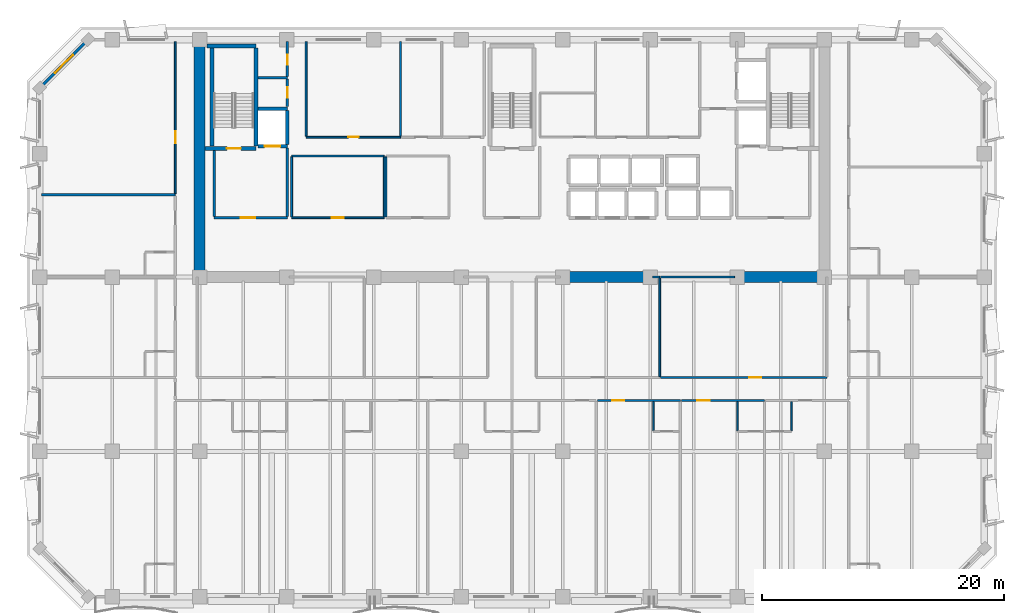
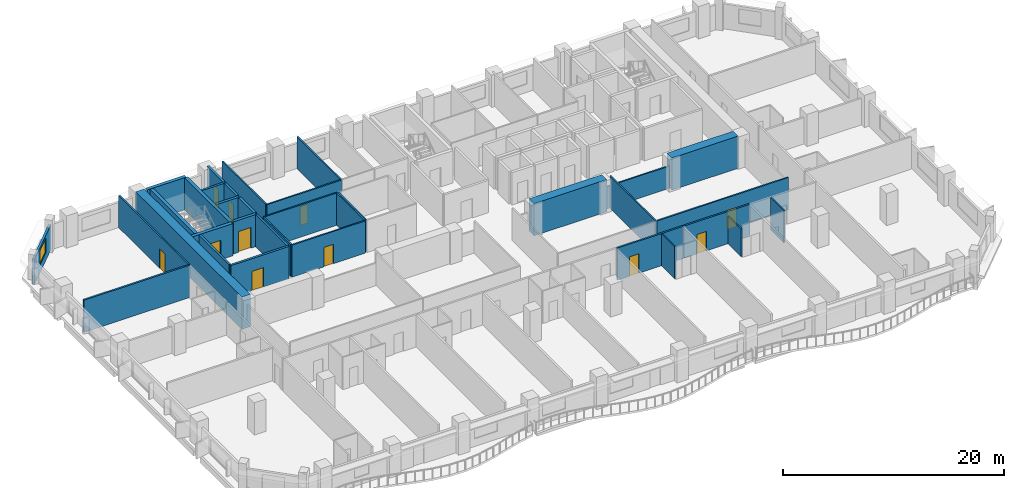
# One storey, part 6 of 14: 36 walls, 11 doors, 1 window, 12 openings.
"""IFC4 building model written with IfcOpenShell, lengths in metres."""

from ifc_helpers import new_model, si_unit, direction, frame, frame_2d, origin, place, context, subcontext, project, spatial, rectangle, extrude, material, layer, layer_set, type_object, element, fill, save


model = new_model("IFC4")

# Units and contexts
model_context = context("Model", 3, precision=1e-05, world=origin(), true_north=direction((0.0, 1.0)))
body_context = subcontext(model_context, "Body", "Model", "MODEL_VIEW")
ifc_project = project(units=[si_unit("LENGTHUNIT", "METRE"), si_unit("AREAUNIT", "SQUARE_METRE"), si_unit("VOLUMEUNIT", "CUBIC_METRE"), si_unit("PLANEANGLEUNIT", "RADIAN"), si_unit("MASSUNIT", "GRAM", prefix="KILO")], contexts=[model_context])

# Site, building, storey
site_placement = place(None, origin())
site = spatial("IfcSite", under=ifc_project, at=site_placement, CompositionType="ELEMENT")
building_placement = place(site_placement, origin())
building = spatial("IfcBuilding", under=site, at=building_placement, Name="Kaelvorn Grand Hotel", CompositionType="ELEMENT")
storey_placement = place(building_placement, frame((0.0, 0.0, 169.550048828125)))
storey = spatial("IfcBuildingStorey", under=building, at=storey_placement, Name="L41", CompositionType="ELEMENT", Elevation=169.550048828125)

# Walls
ifc_material_1 = material(Name="Concrete C60/75", Category="concrete")
ifc_layer_1 = layer(ifc_material_1, 0.89990234375)
ifc_layer_set_1 = layer_set([ifc_layer_1], Name="Concrete C60/75")
wall_type_1 = type_object("IfcWallType", Name="WL-CORE-900-C60", PredefinedType="SHEAR", material=ifc_layer_set_1)
wall_1_placement = place(storey_placement, frame((16.199951171875, 29.39990234375, 0.0), z_axis=(0.0, 0.0, 1.0), x_axis=(0.0, 1.0, 0.0)))
element("IfcWall", 1, at=wall_1_placement, inside=storey, type_object=wall_type_1, Name="L41 Rear-Core West Shear Wall", PredefinedType="SHEAR", context=body_context, shape_type="SweptSolid", body=[
    extrude(rectangle(XDim=19.2001953125, YDim=0.89990234375, at=frame_2d((9.60009765625, 0.0))), origin(), (0.0, 0.0, 1.0), 3.56005859375),
])
wall_2_placement = place(storey_placement, frame((46.0, 29.39990234375, 0.0), z_axis=(0.0, 0.0, 1.0), x_axis=(1.0, 0.0, 0.0)))
element("IfcWall", 2, at=wall_2_placement, inside=storey, type_object=wall_type_1, Name="L41 Rear-Core Coupled Shear Pier S3", PredefinedType="SHEAR", context=body_context, shape_type="SweptSolid", body=[
    extrude(rectangle(XDim=7.60009765625, YDim=0.89990234375, at=frame_2d((3.800048828125, 0.0))), origin(), (0.0, 0.0, 1.0), 3.56005859375),
])
wall_3_placement = place(storey_placement, frame((60.39990234375, 29.39990234375, 0.0), z_axis=(0.0, 0.0, 1.0), x_axis=(1.0, 0.0, 0.0)))
element("IfcWall", 3, at=wall_3_placement, inside=storey, type_object=wall_type_1, Name="L41 Rear-Core Coupled Shear Pier S4", PredefinedType="SHEAR", context=body_context, shape_type="SweptSolid", body=[
    extrude(rectangle(XDim=6.945068359375, YDim=0.89990234375, at=frame_2d((3.47265625, 0.0))), origin(), (0.0, 0.0, 1.0), 3.56005859375),
])

# Wall, opening, window
ifc_material_2 = material(Name="Concrete C40/50", Category="concrete")
ifc_layer_2 = layer(ifc_material_2, 0.239990234375)
ifc_layer_set_2 = layer_set([ifc_layer_2], Name="Concrete C40/50")
wall_type_2 = type_object("IfcWallType", Name="WL-EXT-240-C40", PredefinedType="SOLIDWALL", material=ifc_layer_set_2)
wall_4_placement = place(storey_placement, frame((7.0, 49.0, 0.0), z_axis=(0.0, 0.0, 1.0), x_axis=(-0.707106781187, -0.707106781187, 0.0)))
wall_4 = element("IfcWall", 4, at=wall_4_placement, inside=storey, type_object=wall_type_2, Name="L41 Exterior Architectural Concrete Wall 06", PredefinedType="SOLIDWALL", context=body_context, shape_type="SweptSolid", body=[
    extrude(rectangle(XDim=5.65673828125, YDim=0.239990234375, at=frame_2d((2.828369140625, 0.0))), origin(), (0.0, 0.0, 1.0), 2.760009765625),
])
opening_1_placement = place(wall_4_placement, frame((1.7783203125, 0.0, 0.85009765625)))
opening_1 = element("IfcOpeningElement", 5, at=opening_1_placement, cuts=wall_4, Name="Opening W7", PredefinedType="OPENING", context=body_context, shape_type="SweptSolid", body=[
    extrude(rectangle(XDim=2.10009765625, YDim=1.60009765625, at=frame_2d((1.050048828125, 0.800048828125))), frame((0.0, 0.1298828125, 0.0), z_axis=(0.0, -1.0, 0.0), x_axis=(1.0, 0.0, 0.0)), (0.0, 0.0, 1.0), 0.260009765625),
])
ifc_material_3 = material(Name="Laminated Low-E Glass", Category="glass")
window_type = type_object("IfcWindowType", Name="WIN-CHM-2100x1600", PartitioningType="SINGLE_PANEL", PredefinedType="WINDOW", material=ifc_material_3)
window_placement = place(opening_1_placement, origin())
window = element("IfcWindow", 6, at=window_placement, inside=storey, type_object=window_type, Name="L41 Chamfered 45-Degree Corner Window NW", OverallHeight=1.60009765625, OverallWidth=2.10009765625, PartitioningType="SINGLE_PANEL", PredefinedType="WINDOW", context=body_context, shape_type="SweptSolid", body=[
    extrude(rectangle(XDim=2.10009765625, YDim=1.60009765625, at=frame_2d((1.050048828125, 0.800048828125))), frame((0.0, 0.030029296875, 0.0), z_axis=(0.0, -1.0, 0.0), x_axis=(1.0, 0.0, 0.0)), (0.0, 0.0, 1.0), 0.06005859375),
])
fill(opening_1, window)

# Walls
ifc_material_4 = material(Name="Moisture-Resistant Tile & Stud Board")
ifc_layer_3 = layer(ifc_material_4, 0.125)
ifc_layer_set_3 = layer_set([ifc_layer_3], Name="Moisture-Resistant Tile & Stud Board")
wall_type_3 = type_object("IfcWallType", Name="WL-PART-125-WET", PredefinedType="PARTITIONING", material=ifc_layer_set_3)
wall_5_placement = place(storey_placement, frame((53.679931640625, 16.717529296875, 0.0), z_axis=(0.0, 0.0, 1.0), x_axis=(0.0, 1.0, 0.0)))
element("IfcWall", 7, at=wall_5_placement, inside=storey, type_object=wall_type_3, Name="L41 En-suite Bathroom L41-06 W Partition", PredefinedType="PARTITIONING", context=body_context, shape_type="SweptSolid", body=[
    extrude(rectangle(XDim=2.387451171875, YDim=0.125, at=frame_2d((1.19384765625, 0.0))), origin(), (0.0, 0.0, 1.0), 3.56005859375),
])
wall_6_placement = place(storey_placement, frame((60.6298828125, 16.717529296875, 0.0), z_axis=(0.0, 0.0, 1.0), x_axis=(0.0, 1.0, 0.0)))
element("IfcWall", 8, at=wall_6_placement, inside=storey, type_object=wall_type_3, Name="L41 En-suite Bathroom L41-07 W Partition", PredefinedType="PARTITIONING", context=body_context, shape_type="SweptSolid", body=[
    extrude(rectangle(XDim=2.387451171875, YDim=0.125, at=frame_2d((1.19384765625, 0.0))), origin(), (0.0, 0.0, 1.0), 3.06005859375),
])
wall_7_placement = place(storey_placement, frame((65.070068359375, 16.717529296875, 0.0), z_axis=(0.0, 0.0, 1.0), x_axis=(0.0, 1.0, 0.0)))
element("IfcWall", 9, at=wall_7_placement, inside=storey, type_object=wall_type_3, Name="L41 En-suite Bathroom L41-08 E Partition", PredefinedType="PARTITIONING", context=body_context, shape_type="SweptSolid", body=[
    extrude(rectangle(XDim=2.387451171875, YDim=0.125, at=frame_2d((1.19384765625, 0.0))), origin(), (0.0, 0.0, 1.0), 3.56005859375),
])
ifc_material_5 = material(Name="Acoustic Gypsum & Stud Partition")
ifc_layer_4 = layer(ifc_material_5, 0.14990234375)
ifc_layer_set_4 = layer_set([ifc_layer_4], Name="Acoustic Gypsum & Stud Partition")
wall_type_4 = type_object("IfcWallType", Name="WL-PART-150-EI60", PredefinedType="PARTITIONING", material=ifc_layer_set_4)
wall_8_placement = place(storey_placement, frame((31.60009765625, 34.3798828125, 0.0), z_axis=(0.0, 0.0, 1.0), x_axis=(0.0, 1.0, 0.0)))
element("IfcWall", 10, at=wall_8_placement, inside=storey, type_object=wall_type_4, Name="L41 Core Telecoms & BMS Server Room W Partition", PredefinedType="PARTITIONING", context=body_context, shape_type="SweptSolid", body=[
    extrude(rectangle(XDim=4.940185546875, YDim=0.14990234375, at=frame_2d((2.47021484375, 0.0))), origin(), (0.0, 0.0, 1.0), 3.56005859375),
])

# Wall, opening, door
wall_9_placement = place(storey_placement, frame((23.800048828125, 34.300048828125, 0.0), z_axis=(0.0, 0.0, 1.0), x_axis=(1.0, 0.0, 0.0)))
wall_9 = element("IfcWall", 11, at=wall_9_placement, inside=storey, type_object=wall_type_4, Name="L41 Executive Club Sitting Lounge S Partition", PredefinedType="PARTITIONING", context=body_context, shape_type="SweptSolid", body=[
    extrude(rectangle(XDim=7.64990234375, YDim=0.14990234375, at=frame_2d((3.824951171875, 0.0))), origin(), (0.0, 0.0, 1.0), 3.56005859375),
])
opening_2_placement = place(wall_9_placement, frame((3.300048828125, 0.0, 0.0)))
opening_2 = element("IfcOpeningElement", 12, at=opening_2_placement, cuts=wall_9, Name="Opening DI3", PredefinedType="OPENING", context=body_context, shape_type="SweptSolid", body=[
    extrude(rectangle(XDim=1.0, YDim=2.14990234375, at=frame_2d((0.5, 1.074951171875))), frame((0.0, 0.0849609375, 0.0), z_axis=(0.0, -1.0, 0.0), x_axis=(1.0, 0.0, 0.0)), (0.0, 0.0, 1.0), 0.169921875),
])
ifc_material_6 = material(Name="Timber Veneer Fire Leaf", Category="wood")
door_type_1 = type_object("IfcDoorType", Name="DR-INT-GUEST-1000x2150", OperationType="NOTDEFINED", PredefinedType="DOOR", material=ifc_material_6)
door_1_placement = place(opening_2_placement, origin())
door_1 = element("IfcDoor", 13, at=door_1_placement, inside=storey, type_object=door_type_1, Name="L41 Executive Club Sitting Lounge Door", OperationType="SINGLE_SWING_RIGHT", OverallHeight=2.14990234375, OverallWidth=1.0, PredefinedType="DOOR", context=body_context, shape_type="SweptSolid", body=[
    extrude(rectangle(XDim=1.0, YDim=2.14990234375, at=frame_2d((0.5, 1.074951171875))), frame((0.0, 0.02490234375, 0.0), z_axis=(0.0, -1.0, 0.0), x_axis=(1.0, 0.0, 0.0)), (0.0, 0.0, 1.0), 0.050048828125),
])
fill(opening_2, door_1)

# Walls
wall_10_placement = place(storey_placement, frame((23.800048828125, 39.39990234375, 0.0), z_axis=(0.0, 0.0, 1.0), x_axis=(1.0, 0.0, 0.0)))
element("IfcWall", 14, at=wall_10_placement, inside=storey, type_object=wall_type_4, Name="L41 Executive Club Sitting Lounge N Partition", PredefinedType="PARTITIONING", context=body_context, shape_type="SweptSolid", body=[
    extrude(rectangle(XDim=7.64990234375, YDim=0.14990234375, at=frame_2d((3.824951171875, 0.0))), origin(), (0.0, 0.0, 1.0), 3.56005859375),
])
for number, where, z_axis, x_axis, name in (
    (15, (23.800048828125, 34.3798828125, 0.0), (0.0, 0.0, 1.0), (0.0, 1.0, 0.0), "L41 Executive Club Sitting Lounge W Partition"),
    (16, (31.449951171875, 34.3798828125, 0.0), (0.0, 0.0, 1.0), (0.0, 1.0, 0.0), "L41 Executive Club Sitting Lounge E Partition"),
):
    element("IfcWall", number, at=place(storey_placement, frame(where, z_axis=z_axis, x_axis=x_axis)), inside=storey, type_object=wall_type_4, Name=name, PredefinedType="PARTITIONING", context=body_context, shape_type="SweptSolid", body=[
        extrude(rectangle(XDim=4.940185546875, YDim=0.14990234375, at=frame_2d((2.47021484375, 0.0))), origin(), (0.0, 0.0, 1.0), 3.56005859375),
    ])

# Wall, opening, door
wall_11_placement = place(storey_placement, frame((25.0, 40.949951171875, 0.0), z_axis=(0.0, 0.0, 1.0), x_axis=(1.0, 0.0, 0.0)))
wall_11 = element("IfcWall", 17, at=wall_11_placement, inside=storey, type_object=wall_type_4, Name="L41 Housekeeping & Linen Room S Partition", PredefinedType="PARTITIONING", context=body_context, shape_type="SweptSolid", body=[
    extrude(rectangle(XDim=7.800048828125, YDim=0.14990234375, at=frame_2d((3.89990234375, 0.0))), origin(), (0.0, 0.0, 1.0), 3.56005859375),
])
opening_3_placement = place(wall_11_placement, frame((3.47509765625, 0.0, 0.0)))
opening_3 = element("IfcOpeningElement", 18, at=opening_3_placement, cuts=wall_11, Name="Opening DI7", PredefinedType="OPENING", context=body_context, shape_type="SweptSolid", body=[
    extrude(rectangle(XDim=0.85009765625, YDim=2.10009765625, at=frame_2d((0.425048828125, 1.050048828125))), frame((0.0, 0.0849609375, 0.0), z_axis=(0.0, -1.0, 0.0), x_axis=(1.0, 0.0, 0.0)), (0.0, 0.0, 1.0), 0.169921875),
])
ifc_material_7 = material(Name="Powder-Coated Steel Leaf", Category="steel")
door_type_2 = type_object("IfcDoorType", Name="DR-INT-RISER-850x2100", OperationType="NOTDEFINED", PredefinedType="DOOR", material=ifc_material_7)
door_2_placement = place(opening_3_placement, origin())
door_2 = element("IfcDoor", 19, at=door_2_placement, inside=storey, type_object=door_type_2, Name="L41 Housekeeping & Linen Room Door", OperationType="SINGLE_SWING_LEFT", OverallHeight=2.10009765625, OverallWidth=0.85009765625, PredefinedType="DOOR", context=body_context, shape_type="SweptSolid", body=[
    extrude(rectangle(XDim=0.85009765625, YDim=2.10009765625, at=frame_2d((0.425048828125, 1.050048828125))), frame((0.0, 0.02490234375, 0.0), z_axis=(0.0, -1.0, 0.0), x_axis=(1.0, 0.0, 0.0)), (0.0, 0.0, 1.0), 0.050048828125),
])
fill(opening_3, door_2)

# Walls
for number, where, z_axis, x_axis, name in (
    (20, (25.0, 41.030029296875, 0.0), (0.0, 0.0, 1.0), (0.0, 1.0, 0.0), "L41 Housekeeping & Linen Room W Partition"),
    (21, (32.800048828125, 41.030029296875, 0.0), (0.0, 0.0, 1.0), (0.0, 1.0, 0.0), "L41 Housekeeping & Linen Room E Partition"),
):
    element("IfcWall", number, at=place(storey_placement, frame(where, z_axis=z_axis, x_axis=x_axis)), inside=storey, type_object=wall_type_4, Name=name, PredefinedType="PARTITIONING", context=body_context, shape_type="SweptSolid", body=[
        extrude(rectangle(XDim=7.820068359375, YDim=0.14990234375, at=frame_2d((3.91015625, 0.0))), origin(), (0.0, 0.0, 1.0), 3.56005859375),
    ])
wall_12_placement = place(storey_placement, frame((53.610107421875, 29.39990234375, 0.0), z_axis=(0.0, 0.0, 1.0), x_axis=(1.0, 0.0, 0.0)))
element("IfcWall", 22, at=wall_12_placement, inside=storey, type_object=wall_type_4, Name="L41 Diplomatic Living Room N Partition (2)", PredefinedType="PARTITIONING", context=body_context, shape_type="SweptSolid", body=[
    extrude(rectangle(XDim=0.58984375, YDim=0.14990234375, at=frame_2d((0.294921875, 0.0))), origin(), (0.0, 0.0, 1.0), 2.4599609375),
])
wall_13_placement = place(storey_placement, frame((54.199951171875, 21.179931640625, 0.0), z_axis=(0.0, 0.0, 1.0), x_axis=(0.0, 1.0, 0.0)))
element("IfcWall", 23, at=wall_13_placement, inside=storey, type_object=wall_type_4, Name="L41 Diplomatic Living Room E Partition", PredefinedType="PARTITIONING", context=body_context, shape_type="SweptSolid", body=[
    extrude(rectangle(XDim=8.14013671875, YDim=0.14990234375, at=frame_2d((4.070068359375, 0.0))), origin(), (0.0, 0.0, 1.0), 3.56005859375),
])

# Wall, opening, door
wall_14_placement = place(storey_placement, frame((54.280029296875, 21.10009765625, 0.0), z_axis=(0.0, 0.0, 1.0), x_axis=(1.0, 0.0, 0.0)))
wall_14 = element("IfcWall", 24, at=wall_14_placement, inside=storey, type_object=wall_type_4, Name="L41 Executive Meeting Room S Partition", PredefinedType="PARTITIONING", context=body_context, shape_type="SweptSolid", body=[
    extrude(rectangle(XDim=13.719970703125, YDim=0.14990234375, at=frame_2d((6.85986328125, 0.0))), origin(), (0.0, 0.0, 1.0), 3.56005859375),
])
opening_4_placement = place(wall_14_placement, frame((7.320068359375, 0.0, 0.0)))
opening_4 = element("IfcOpeningElement", 25, at=opening_4_placement, cuts=wall_14, Name="Opening DI3", PredefinedType="OPENING", context=body_context, shape_type="SweptSolid", body=[
    extrude(rectangle(XDim=1.0, YDim=2.14990234375, at=frame_2d((0.5, 1.074951171875))), frame((0.0, 0.0849609375, 0.0), z_axis=(0.0, -1.0, 0.0), x_axis=(1.0, 0.0, 0.0)), (0.0, 0.0, 1.0), 0.169921875),
])
door_3_placement = place(opening_4_placement, origin())
door_3 = element("IfcDoor", 26, at=door_3_placement, inside=storey, type_object=door_type_1, Name="L41 Executive Meeting Room Door", OperationType="SINGLE_SWING_RIGHT", OverallHeight=2.14990234375, OverallWidth=1.0, PredefinedType="DOOR", context=body_context, shape_type="SweptSolid", body=[
    extrude(rectangle(XDim=1.0, YDim=2.14990234375, at=frame_2d((0.5, 1.074951171875))), frame((0.0, 0.02490234375, 0.0), z_axis=(0.0, -1.0, 0.0), x_axis=(1.0, 0.0, 0.0)), (0.0, 0.0, 1.0), 0.050048828125),
])
fill(opening_4, door_3)

# Wall
wall_15_placement = place(storey_placement, frame((54.280029296875, 29.39990234375, 0.0), z_axis=(0.0, 0.0, 1.0), x_axis=(1.0, 0.0, 0.0)))
element("IfcWall", 27, at=wall_15_placement, inside=storey, type_object=wall_type_4, Name="L41 Executive Meeting Room N Partition", PredefinedType="PARTITIONING", context=body_context, shape_type="SweptSolid", body=[
    extrude(rectangle(XDim=6.10986328125, YDim=0.14990234375, at=frame_2d((3.054931640625, 0.0))), origin(), (0.0, 0.0, 1.0), 2.4599609375),
])

# Wall, opening, door
wall_16_placement = place(storey_placement, frame((14.199951171875, 36.294921875, 0.0), z_axis=(0.0, 0.0, 1.0), x_axis=(0.0, 1.0, 0.0)))
wall_16 = element("IfcWall", 28, at=wall_16_placement, inside=storey, type_object=wall_type_4, Name="L41 North-West Executive Meeting Room E Partition", PredefinedType="PARTITIONING", context=body_context, shape_type="SweptSolid", body=[
    extrude(rectangle(XDim=12.55517578125, YDim=0.14990234375, at=frame_2d((6.277587890625, 0.0))), origin(), (0.0, 0.0, 1.0), 3.56005859375),
])
opening_5_placement = place(wall_16_placement, frame((4.155029296875, 0.0, 0.0)))
opening_5 = element("IfcOpeningElement", 29, at=opening_5_placement, cuts=wall_16, Name="Opening DI3", PredefinedType="OPENING", context=body_context, shape_type="SweptSolid", body=[
    extrude(rectangle(XDim=1.0, YDim=2.14990234375, at=frame_2d((0.5, 1.074951171875))), frame((0.0, 0.0849609375, 0.0), z_axis=(0.0, -1.0, 0.0), x_axis=(1.0, 0.0, 0.0)), (0.0, 0.0, 1.0), 0.169921875),
])
door_4_placement = place(opening_5_placement, origin())
door_4 = element("IfcDoor", 30, at=door_4_placement, inside=storey, type_object=door_type_1, Name="L41 North-West Executive Meeting Room Door", OperationType="SINGLE_SWING_LEFT", OverallHeight=2.14990234375, OverallWidth=1.0, PredefinedType="DOOR", context=body_context, shape_type="SweptSolid", body=[
    extrude(rectangle(XDim=1.0, YDim=2.14990234375, at=frame_2d((0.5, 1.074951171875))), frame((0.0, 0.02490234375, 0.0), z_axis=(0.0, -1.0, 0.0), x_axis=(1.0, 0.0, 0.0)), (0.0, 0.0, 1.0), 0.050048828125),
])
fill(opening_5, door_4)

ifc_layer_5 = layer(ifc_material_5, 0.179931640625)
ifc_layer_set_5 = layer_set([ifc_layer_5], Name="Acoustic Gypsum & Stud Partition")
wall_type_5 = type_object("IfcWallType", Name="WL-PART-180-EI60", PredefinedType="PARTITIONING", material=ifc_layer_set_5)
wall_17_placement = place(storey_placement, frame((49.044921875, 19.199951171875, 0.0), z_axis=(0.0, 0.0, 1.0), x_axis=(1.0, 0.0, 0.0)))
wall_17 = element("IfcWall", 31, at=wall_17_placement, inside=storey, type_object=wall_type_5, Name="L41 Mid-Rise Signature Suite L41-06 N Partition", PredefinedType="PARTITIONING", context=body_context, shape_type="SweptSolid", body=[
    extrude(rectangle(XDim=6.85498046875, YDim=0.179931640625, at=frame_2d((3.427490234375, 0.0))), origin(), (0.0, 0.0, 1.0), 3.56005859375),
])
opening_6_placement = place(wall_17_placement, frame((1.239990234375, 0.0, 0.0)))
opening_6 = element("IfcOpeningElement", 32, at=opening_6_placement, cuts=wall_17, Name="Opening DI3", PredefinedType="OPENING", context=body_context, shape_type="SweptSolid", body=[
    extrude(rectangle(XDim=1.0, YDim=2.14990234375, at=frame_2d((0.5, 1.074951171875))), frame((0.0, 0.10009765625, 0.0), z_axis=(0.0, -1.0, 0.0), x_axis=(1.0, 0.0, 0.0)), (0.0, 0.0, 1.0), 0.199951171875),
])
door_5_placement = place(opening_6_placement, origin())
door_5 = element("IfcDoor", 33, at=door_5_placement, inside=storey, type_object=door_type_1, Name="L41 Mid-Rise Signature Suite L41-06 Door", OperationType="SINGLE_SWING_LEFT", OverallHeight=2.14990234375, OverallWidth=1.0, PredefinedType="DOOR", context=body_context, shape_type="SweptSolid", body=[
    extrude(rectangle(XDim=1.0, YDim=2.14990234375, at=frame_2d((0.5, 1.074951171875))), frame((0.0, 0.02490234375, 0.0), z_axis=(0.0, -1.0, 0.0), x_axis=(1.0, 0.0, 0.0)), (0.0, 0.0, 1.0), 0.050048828125),
])
fill(opening_6, door_5)

wall_18_placement = place(storey_placement, frame((55.9951171875, 19.199951171875, 0.0), z_axis=(0.0, 0.0, 1.0), x_axis=(1.0, 0.0, 0.0)))
wall_18 = element("IfcWall", 34, at=wall_18_placement, inside=storey, type_object=wall_type_5, Name="L41 Mid-Rise Signature Suite L41-07 N Partition", PredefinedType="PARTITIONING", context=body_context, shape_type="SweptSolid", body=[
    extrude(rectangle(XDim=6.85498046875, YDim=0.179931640625, at=frame_2d((3.427490234375, 0.0))), origin(), (0.0, 0.0, 1.0), 3.56005859375),
])
opening_7_placement = place(wall_18_placement, frame((1.320068359375, 0.0, 0.0)))
opening_7 = element("IfcOpeningElement", 35, at=opening_7_placement, cuts=wall_18, Name="Opening DI3", PredefinedType="OPENING", context=body_context, shape_type="SweptSolid", body=[
    extrude(rectangle(XDim=1.0, YDim=2.14990234375, at=frame_2d((0.5, 1.074951171875))), frame((0.0, 0.10009765625, 0.0), z_axis=(0.0, -1.0, 0.0), x_axis=(1.0, 0.0, 0.0)), (0.0, 0.0, 1.0), 0.199951171875),
])
door_6_placement = place(opening_7_placement, origin())
door_6 = element("IfcDoor", 36, at=door_6_placement, inside=storey, type_object=door_type_1, Name="L41 Mid-Rise Signature Suite L41-07 Door", OperationType="SINGLE_SWING_LEFT", OverallHeight=2.14990234375, OverallWidth=1.0, PredefinedType="DOOR", context=body_context, shape_type="SweptSolid", body=[
    extrude(rectangle(XDim=1.0, YDim=2.14990234375, at=frame_2d((0.5, 1.074951171875))), frame((0.0, 0.02490234375, 0.0), z_axis=(0.0, -1.0, 0.0), x_axis=(1.0, 0.0, 0.0)), (0.0, 0.0, 1.0), 0.050048828125),
])
fill(opening_7, door_6)

# Wall
wall_19_placement = place(storey_placement, frame((3.14990234375, 36.199951171875, 0.0), z_axis=(0.0, 0.0, 1.0), x_axis=(1.0, 0.0, 0.0)))
element("IfcWall", 37, at=wall_19_placement, inside=storey, type_object=wall_type_5, Name="L41 North-West Wing Suite L41-13 N Partition", PredefinedType="PARTITIONING", context=body_context, shape_type="SweptSolid", body=[
    extrude(rectangle(XDim=11.050048828125, YDim=0.179931640625, at=frame_2d((5.52490234375, 0.0))), origin(), (0.0, 0.0, 1.0), 3.56005859375),
])

# Wall, opening, door
ifc_layer_6 = layer(ifc_material_2, 0.219970703125)
ifc_layer_set_6 = layer_set([ifc_layer_6], Name="Concrete C40/50")
wall_type_6 = type_object("IfcWallType", Name="WL-PART-220-EI120", PredefinedType="PARTITIONING", material=ifc_layer_set_6)
wall_20_placement = place(storey_placement, frame((17.39990234375, 34.300048828125, 0.0), z_axis=(0.0, 0.0, 1.0), x_axis=(1.0, 0.0, 0.0)))
wall_20 = element("IfcWall", 38, at=wall_20_placement, inside=storey, type_object=wall_type_6, Name="L41 Firefighting Lift Lobby 1 S Partition", PredefinedType="PARTITIONING", context=body_context, shape_type="SweptSolid", body=[
    extrude(rectangle(XDim=6.050048828125, YDim=0.219970703125, at=frame_2d((3.02490234375, 0.0))), origin(), (0.0, 0.0, 1.0), 3.56005859375),
])
opening_8_placement = place(wall_20_placement, frame((2.199951171875, 0.0, 0.0)))
opening_8 = element("IfcOpeningElement", 39, at=opening_8_placement, cuts=wall_20, Name="Opening DI2", PredefinedType="OPENING", context=body_context, shape_type="SweptSolid", body=[
    extrude(rectangle(XDim=1.199951171875, YDim=2.14990234375, at=frame_2d((0.60009765625, 1.074951171875))), frame((0.0, 0.1201171875, 0.0), z_axis=(0.0, -1.0, 0.0), x_axis=(1.0, 0.0, 0.0)), (0.0, 0.0, 1.0), 0.239990234375),
])
door_type_3 = type_object("IfcDoorType", Name="DR-INT-FFLOB-1200x2150", OperationType="NOTDEFINED", PredefinedType="DOOR", material=ifc_material_6)
door_7_placement = place(opening_8_placement, origin())
door_7 = element("IfcDoor", 40, at=door_7_placement, inside=storey, type_object=door_type_3, Name="L41 Firefighting Lift Lobby 1 Door", OperationType="SINGLE_SWING_LEFT", OverallHeight=2.14990234375, OverallWidth=1.199951171875, PredefinedType="DOOR", context=body_context, shape_type="SweptSolid", body=[
    extrude(rectangle(XDim=1.199951171875, YDim=2.14990234375, at=frame_2d((0.60009765625, 1.074951171875))), frame((0.0, 0.02490234375, 0.0), z_axis=(0.0, -1.0, 0.0), x_axis=(1.0, 0.0, 0.0)), (0.0, 0.0, 1.0), 0.050048828125),
])
fill(opening_8, door_7)

# Walls
wall_21_placement = place(storey_placement, frame((17.39990234375, 34.4150390625, 0.0), z_axis=(0.0, 0.0, 1.0), x_axis=(0.0, 1.0, 0.0)))
element("IfcWall", 41, at=wall_21_placement, inside=storey, type_object=wall_type_6, Name="L41 Firefighting Lift Lobby 1 W Partition", PredefinedType="PARTITIONING", context=body_context, shape_type="SweptSolid", body=[
    extrude(rectangle(XDim=5.429931640625, YDim=0.219970703125, at=frame_2d((2.71484375, 0.0))), origin(), (0.0, 0.0, 1.0), 3.56005859375),
])
wall_22_placement = place(storey_placement, frame((23.449951171875, 34.4150390625, 0.0), z_axis=(0.0, 0.0, 1.0), x_axis=(0.0, 1.0, 0.0)))
element("IfcWall", 42, at=wall_22_placement, inside=storey, type_object=wall_type_6, Name="L41 Firefighting Lift Lobby 1 E Partition", PredefinedType="PARTITIONING", context=body_context, shape_type="SweptSolid", body=[
    extrude(rectangle(XDim=5.639892578125, YDim=0.219970703125, at=frame_2d((2.81982421875, 0.0))), origin(), (0.0, 0.0, 1.0), 3.56005859375),
])
wall_23_placement = place(storey_placement, frame((21.034912109375, 45.85009765625, 0.0), z_axis=(0.0, 0.0, 1.0), x_axis=(1.0, 0.0, 0.0)))
element("IfcWall", 43, at=wall_23_placement, inside=storey, type_object=wall_type_6, Name="L41 Wet Fire & Plumbing Riser Shaft N Partition", PredefinedType="PARTITIONING", context=body_context, shape_type="SweptSolid", body=[
    extrude(rectangle(XDim=2.4150390625, YDim=0.219970703125, at=frame_2d((1.20751953125, 0.0))), origin(), (0.0, 0.0, 1.0), 3.56005859375),
])

# Wall, opening, door
wall_24_placement = place(storey_placement, frame((23.449951171875, 43.5, 0.0), z_axis=(0.0, 0.0, 1.0), x_axis=(0.0, 1.0, 0.0)))
wall_24 = element("IfcWall", 44, at=wall_24_placement, inside=storey, type_object=wall_type_6, Name="L41 Wet Fire & Plumbing Riser Shaft E Partition", PredefinedType="PARTITIONING", context=body_context, shape_type="SweptSolid", body=[
    extrude(rectangle(XDim=2.235107421875, YDim=0.219970703125, at=frame_2d((1.11767578125, 0.0))), origin(), (0.0, 0.0, 1.0), 3.56005859375),
])
opening_9_placement = place(wall_24_placement, frame((0.72509765625, 0.0, 0.0)))
opening_9 = element("IfcOpeningElement", 45, at=opening_9_placement, cuts=wall_24, Name="Opening DI7", PredefinedType="OPENING", context=body_context, shape_type="SweptSolid", body=[
    extrude(rectangle(XDim=0.85009765625, YDim=2.10009765625, at=frame_2d((0.425048828125, 1.050048828125))), frame((0.0, 0.1201171875, 0.0), z_axis=(0.0, -1.0, 0.0), x_axis=(1.0, 0.0, 0.0)), (0.0, 0.0, 1.0), 0.239990234375),
])
door_8_placement = place(opening_9_placement, origin())
door_8 = element("IfcDoor", 46, at=door_8_placement, inside=storey, type_object=door_type_2, Name="L41 Wet Fire & Plumbing Riser Shaft Door", OperationType="SINGLE_SWING_LEFT", OverallHeight=2.10009765625, OverallWidth=0.85009765625, PredefinedType="DOOR", context=body_context, shape_type="SweptSolid", body=[
    extrude(rectangle(XDim=0.85009765625, YDim=2.10009765625, at=frame_2d((0.425048828125, 1.050048828125))), frame((0.0, 0.02490234375, 0.0), z_axis=(0.0, -1.0, 0.0), x_axis=(1.0, 0.0, 0.0)), (0.0, 0.0, 1.0), 0.050048828125),
])
fill(opening_9, door_8)

wall_25_placement = place(storey_placement, frame((23.449951171875, 45.965087890625, 0.0), z_axis=(0.0, 0.0, 1.0), x_axis=(0.0, 1.0, 0.0)))
wall_25 = element("IfcWall", 47, at=wall_25_placement, inside=storey, type_object=wall_type_6, Name="L41 HV Electrical & Smoke Riser E Partition", PredefinedType="PARTITIONING", context=body_context, shape_type="SweptSolid", body=[
    extrude(rectangle(XDim=2.885009765625, YDim=0.219970703125, at=frame_2d((1.4423828125, 0.0))), origin(), (0.0, 0.0, 1.0), 3.56005859375),
])
opening_10_placement = place(wall_25_placement, frame((0.9599609375, 0.0, 0.0)))
opening_10 = element("IfcOpeningElement", 48, at=opening_10_placement, cuts=wall_25, Name="Opening DI7", PredefinedType="OPENING", context=body_context, shape_type="SweptSolid", body=[
    extrude(rectangle(XDim=0.85009765625, YDim=2.10009765625, at=frame_2d((0.425048828125, 1.050048828125))), frame((0.0, 0.1201171875, 0.0), z_axis=(0.0, -1.0, 0.0), x_axis=(1.0, 0.0, 0.0)), (0.0, 0.0, 1.0), 0.239990234375),
])
door_9_placement = place(opening_10_placement, origin())
door_9 = element("IfcDoor", 49, at=door_9_placement, inside=storey, type_object=door_type_2, Name="L41 HV Electrical & Smoke Riser Door", OperationType="SINGLE_SWING_RIGHT", OverallHeight=2.10009765625, OverallWidth=0.85009765625, PredefinedType="DOOR", context=body_context, shape_type="SweptSolid", body=[
    extrude(rectangle(XDim=0.85009765625, YDim=2.10009765625, at=frame_2d((0.425048828125, 1.050048828125))), frame((0.0, 0.02490234375, 0.0), z_axis=(0.0, -1.0, 0.0), x_axis=(1.0, 0.0, 0.0)), (0.0, 0.0, 1.0), 0.050048828125),
])
fill(opening_10, door_9)

ifc_material_8 = material(Name="Concrete C50/60", Category="concrete")
ifc_layer_7 = layer(ifc_material_8, 0.280029296875)
ifc_layer_set_7 = layer_set([ifc_layer_7], Name="Concrete C50/60")
wall_type_7 = type_object("IfcWallType", Name="WL-SHAFT-280-C50", PredefinedType="SHEAR", material=ifc_layer_set_7)
wall_26_placement = place(storey_placement, frame((21.034912109375, 40.199951171875, 0.0), z_axis=(0.0, 0.0, 1.0), x_axis=(1.0, 0.0, 0.0)))
wall_26 = element("IfcWall", 50, at=wall_26_placement, inside=storey, type_object=wall_type_7, Name="L41 Lift FFL1 Shaft South Wall", PredefinedType="SHEAR", context=body_context, shape_type="SweptSolid", body=[
    extrude(rectangle(XDim=2.4150390625, YDim=0.280029296875, at=frame_2d((1.20751953125, 0.0))), origin(), (0.0, 0.0, 1.0), 3.56005859375),
])
opening_11_placement = place(wall_26_placement, frame((0.5400390625, 0.0, 0.0)))
opening_11 = element("IfcOpeningElement", 51, at=opening_11_placement, cuts=wall_26, Name="Opening LD-FFL1", PredefinedType="OPENING", context=body_context, shape_type="SweptSolid", body=[
    extrude(rectangle(XDim=1.300048828125, YDim=2.300048828125, at=frame_2d((0.64990234375, 1.14990234375))), frame((0.0, 0.14990234375, 0.0), z_axis=(0.0, -1.0, 0.0), x_axis=(1.0, 0.0, 0.0)), (0.0, 0.0, 1.0), 0.300048828125),
])
ifc_material_9 = material(Name="Stainless Steel", Category="steel")
door_type_4 = type_object("IfcDoorType", Name="DR-LIFT-SERV-1300x2300", OperationType="DOUBLE_DOOR_SLIDING", PredefinedType="DOOR", material=ifc_material_9)
door_10_placement = place(opening_11_placement, origin())
door_10 = element("IfcDoor", 52, at=door_10_placement, inside=storey, type_object=door_type_4, Name="L41 Lift FFL1 Sliding Landing Door LD-FFL1", OperationType="DOUBLE_DOOR_SLIDING", OverallHeight=2.300048828125, OverallWidth=1.300048828125, PredefinedType="DOOR", context=body_context, shape_type="SweptSolid", body=[
    extrude(rectangle(XDim=1.300048828125, YDim=2.300048828125, at=frame_2d((0.64990234375, 1.14990234375))), frame((0.0, 0.02490234375, 0.0), z_axis=(0.0, -1.0, 0.0), x_axis=(1.0, 0.0, 0.0)), (0.0, 0.0, 1.0), 0.050048828125),
])
fill(opening_11, door_10)

# Walls
wall_27_placement = place(storey_placement, frame((21.034912109375, 43.300048828125, 0.0), z_axis=(0.0, 0.0, 1.0), x_axis=(1.0, 0.0, 0.0)))
element("IfcWall", 53, at=wall_27_placement, inside=storey, type_object=wall_type_7, Name="L41 Lift FFL1 Shaft North Wall", PredefinedType="SHEAR", context=body_context, shape_type="SweptSolid", body=[
    extrude(rectangle(XDim=2.4150390625, YDim=0.280029296875, at=frame_2d((1.20751953125, 0.0))), origin(), (0.0, 0.0, 1.0), 3.56005859375),
])
wall_28_placement = place(storey_placement, frame((23.449951171875, 40.344970703125, 0.0), z_axis=(0.0, 0.0, 1.0), x_axis=(0.0, 1.0, 0.0)))
element("IfcWall", 54, at=wall_28_placement, inside=storey, type_object=wall_type_7, Name="L41 Lift FFL1 Shaft East Wall", PredefinedType="SHEAR", context=body_context, shape_type="SweptSolid", body=[
    extrude(rectangle(XDim=2.81005859375, YDim=0.280029296875, at=frame_2d((1.405029296875, 0.0))), origin(), (0.0, 0.0, 1.0), 3.56005859375),
])

# Wall, opening, door
ifc_layer_8 = layer(ifc_material_1, 0.35009765625)
ifc_layer_set_8 = layer_set([ifc_layer_8], Name="Concrete C60/75")
wall_type_8 = type_object("IfcWallType", Name="WL-SHAFT-350-C60", PredefinedType="SHEAR", material=ifc_layer_set_8)
wall_29_placement = place(storey_placement, frame((16.655029296875, 40.02490234375, 0.0), z_axis=(0.0, 0.0, 1.0), x_axis=(1.0, 0.0, 0.0)))
wall_29 = element("IfcWall", 55, at=wall_29_placement, inside=storey, type_object=wall_type_8, Name="L41 ST1 Stair Shaft South Wall", PredefinedType="SHEAR", context=body_context, shape_type="SweptSolid", body=[
    extrude(rectangle(XDim=4.199951171875, YDim=0.35009765625, at=frame_2d((2.10009765625, 0.0))), origin(), (0.0, 0.0, 1.0), 3.56005859375),
])
opening_12_placement = place(wall_29_placement, frame((1.81005859375, 0.0, 0.0)))
opening_12 = element("IfcOpeningElement", 56, at=opening_12_placement, cuts=wall_29, Name="Opening DI1", PredefinedType="OPENING", context=body_context, shape_type="SweptSolid", body=[
    extrude(rectangle(XDim=1.14990234375, YDim=2.14990234375, at=frame_2d((0.574951171875, 1.074951171875))), frame((0.0, 0.18505859375, 0.0), z_axis=(0.0, -1.0, 0.0), x_axis=(1.0, 0.0, 0.0)), (0.0, 0.0, 1.0), 0.3701171875),
])
door_type_5 = type_object("IfcDoorType", Name="DR-INT-STAIR-1150x2150", OperationType="NOTDEFINED", PredefinedType="DOOR", material=ifc_material_6)
door_11_placement = place(opening_12_placement, origin())
door_11 = element("IfcDoor", 57, at=door_11_placement, inside=storey, type_object=door_type_5, Name="L41 ST1 Exit Stair Fire Door", OperationType="SINGLE_SWING_RIGHT", OverallHeight=2.14990234375, OverallWidth=1.14990234375, PredefinedType="DOOR", context=body_context, shape_type="SweptSolid", body=[
    extrude(rectangle(XDim=1.14990234375, YDim=2.14990234375, at=frame_2d((0.574951171875, 1.074951171875))), frame((0.0, 0.02490234375, 0.0), z_axis=(0.0, -1.0, 0.0), x_axis=(1.0, 0.0, 0.0)), (0.0, 0.0, 1.0), 0.050048828125),
])
fill(opening_12, door_11)

# Walls
wall_30_placement = place(storey_placement, frame((16.804931640625, 48.47509765625, 0.0), z_axis=(0.0, 0.0, 1.0), x_axis=(1.0, 0.0, 0.0)))
element("IfcWall", 58, at=wall_30_placement, inside=storey, type_object=wall_type_8, Name="L41 ST1 Stair Shaft North Wall", PredefinedType="SHEAR", context=body_context, shape_type="SweptSolid", body=[
    extrude(rectangle(XDim=4.050048828125, YDim=0.35009765625, at=frame_2d((2.02490234375, 0.0))), origin(), (0.0, 0.0, 1.0), 3.56005859375),
])
for number, where, z_axis, x_axis, name in (
    (59, (17.22509765625, 40.205078125, 0.0), (0.0, 0.0, 1.0), (0.0, 1.0, 0.0), "L41 ST1 Stair Shaft West Wall"),
    (60, (20.85498046875, 40.205078125, 0.0), (0.0, 0.0, 1.0), (0.0, 1.0, 0.0), "L41 ST1 Stair Shaft East Wall"),
):
    element("IfcWall", number, at=place(storey_placement, frame(where, z_axis=z_axis, x_axis=x_axis)), inside=storey, type_object=wall_type_8, Name=name, PredefinedType="SHEAR", context=body_context, shape_type="SweptSolid", body=[
        extrude(rectangle(XDim=8.08984375, YDim=0.35009765625, at=frame_2d((4.044921875, 0.0))), origin(), (0.0, 0.0, 1.0), 3.56005859375),
    ])

save(model, "model.ifc")
